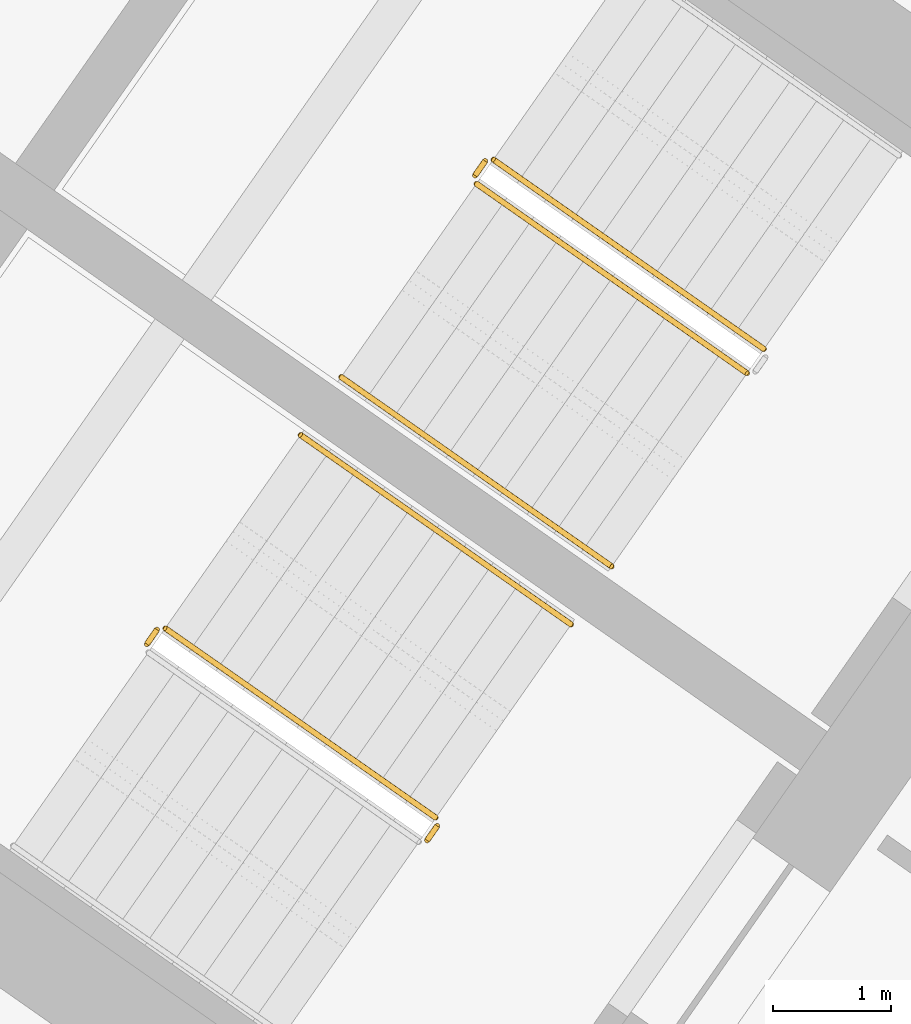
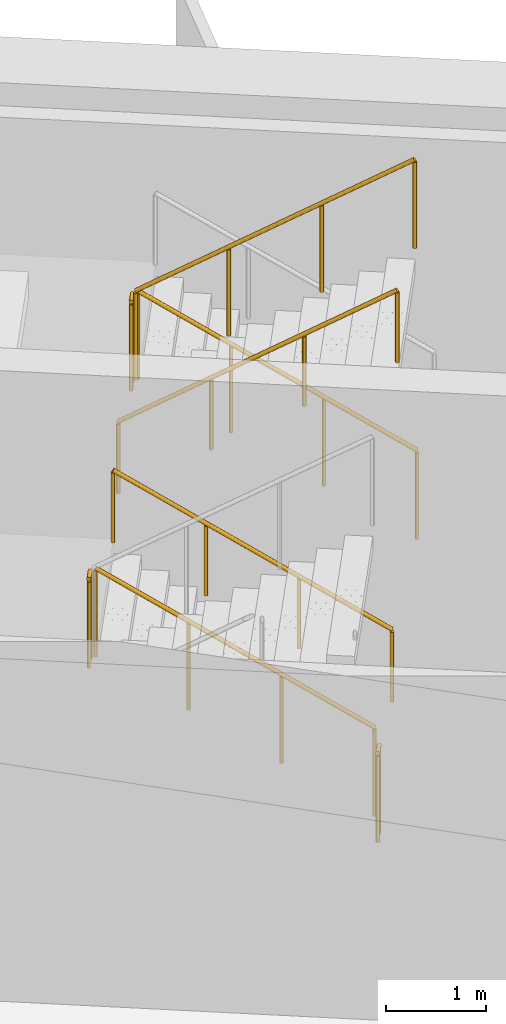
# One storey, part 20 of 22: 8 railings.
"""IFC4 building model written with IfcOpenShell, lengths in metres."""

from ifc_helpers import new_model, si_unit, direction, frame, origin, origin_2d, place, context, subcontext, project, spatial, circle, extrude, material, type_object, element, save


model = new_model("IFC4")

# Units and contexts
model_context = context("Model", 3, precision=1e-05, world=origin(), true_north=direction((0.0, 1.0)))
body_context = subcontext(model_context, "Body", "Model", "MODEL_VIEW")
ifc_project = project(units=[si_unit("LENGTHUNIT", "METRE"), si_unit("AREAUNIT", "SQUARE_METRE"), si_unit("VOLUMEUNIT", "CUBIC_METRE"), si_unit("PLANEANGLEUNIT", "RADIAN"), si_unit("MASSUNIT", "GRAM", prefix="KILO")], contexts=[model_context])

# Site, building, storey
site_placement = place(None, origin())
site = spatial("IfcSite", under=ifc_project, at=site_placement, CompositionType="ELEMENT")
building_placement = place(site_placement, origin())
building = spatial("IfcBuilding", under=site, at=building_placement, Name="Tel Ilan Convention Tower", CompositionType="ELEMENT")
storey_placement = place(building_placement, frame((0.0, 0.0, 135.89990234375)))
storey = spatial("IfcBuildingStorey", under=building, at=storey_placement, Name="L30", CompositionType="ELEMENT", Elevation=135.89990234375)

# Railings
ifc_material_1 = material(Name="Stainless Steel Grade 316", Category="steel")
railing_type_1 = type_object("IfcRailingType", Name="Stainless Steel Stair Guard 1100 mm", PredefinedType="GUARDRAIL", material=ifc_material_1)
railing_1_placement = place(storey_placement, frame((23.6787109375, -7.8515625, 0.177490234375)))
element("IfcRailing", 1, at=railing_1_placement, inside=storey, type_object=railing_type_1, Name="L30 S3 stair guard 1", PredefinedType="GUARDRAIL", context=body_context, shape_type="SweptSolid", body=[
    extrude(circle(Radius=0.02392578125, at=origin_2d()), frame((0.0, 0.0, 1.076171875), z_axis=(-0.692084706163, 0.484621375041, 0.534940073605), x_axis=(-0.573591086599, -0.819141785879, 0.0)), (0.0, 0.0, 1.0), 3.313720703125),
    extrude(circle(Radius=0.02099609375, at=origin_2d()), origin(), (0.0, 0.0, 1.0), 1.052001953125),
    extrude(circle(Radius=0.02099609375, at=origin_2d()), frame((-0.764404296875, 0.535400390625, 0.5908203125)), (0.0, 0.0, 1.0), 1.052001953125),
    extrude(circle(Radius=0.02099609375, at=origin_2d()), frame((-1.529052734375, 1.070556640625, 1.181884765625)), (0.0, 0.0, 1.0), 1.052001953125),
    extrude(circle(Radius=0.02099609375, at=origin_2d()), frame((-2.29345703125, 1.60595703125, 1.772705078125)), (0.0, 0.0, 1.0), 1.052001953125),
])
railing_2_placement = place(storey_placement, frame((21.3154296875, -6.2578125, 1.9501953125)))
element("IfcRailing", 2, at=railing_2_placement, inside=storey, type_object=railing_type_1, Name="L30 S3 stair guard 2", PredefinedType="GUARDRAIL", context=body_context, shape_type="SweptSolid", body=[
    extrude(circle(Radius=0.02392578125, at=origin_2d()), frame((0.0, 0.0, 1.076171875), z_axis=(-0.573353020881, -0.819308436089, 0.0), x_axis=(0.819308436089, -0.573353020881, 0.0)), (0.0, 0.0, 1.0), 0.14990234375),
    extrude(circle(Radius=0.02099609375, at=origin_2d()), origin(), (0.0, 0.0, 1.0), 1.052001953125),
    extrude(circle(Radius=0.02099609375, at=origin_2d()), frame((-0.0859375, -0.122802734375, 0.0)), (0.0, 0.0, 1.0), 1.052001953125),
])
railing_3_placement = place(storey_placement, frame((21.24169921875, -6.4501953125, 2.12744140625)))
element("IfcRailing", 3, at=railing_3_placement, inside=storey, type_object=railing_type_1, Name="L30 S3 stair guard 3", PredefinedType="GUARDRAIL", context=body_context, shape_type="SweptSolid", body=[
    extrude(circle(Radius=0.02392578125, at=origin_2d()), frame((0.0, 0.0, 1.076171875), z_axis=(0.692098378994, -0.484653031975, 0.534893701956), x_axis=(0.573608623498, 0.819129505664, 0.0)), (0.0, 0.0, 1.0), 3.314208984375),
    extrude(circle(Radius=0.02099609375, at=origin_2d()), origin(), (0.0, 0.0, 1.0), 1.052001953125),
    extrude(circle(Radius=0.02099609375, at=origin_2d()), frame((0.7646484375, -0.535400390625, 0.5908203125)), (0.0, 0.0, 1.0), 1.052001953125),
    extrude(circle(Radius=0.02099609375, at=origin_2d()), frame((1.529052734375, -1.07080078125, 1.181884765625)), (0.0, 0.0, 1.0), 1.052001953125),
    extrude(circle(Radius=0.02099609375, at=origin_2d()), frame((2.293701171875, -1.606201171875, 1.772705078125)), (0.0, 0.0, 1.0), 1.052001953125),
])
railing_4_placement = place(storey_placement, frame((20.89697265625, -11.824462890625, 0.177490234375)))
element("IfcRailing", 4, at=railing_4_placement, inside=storey, type_object=railing_type_1, Name="L30 S4 stair guard 1", PredefinedType="GUARDRAIL", context=body_context, shape_type="SweptSolid", body=[
    extrude(circle(Radius=0.02392578125, at=origin_2d()), frame((0.0, 0.0, 1.076171875), z_axis=(-0.692123088272, 0.484596665743, 0.534912798717), x_axis=(-0.573550118428, -0.819170471667, 0.0)), (0.0, 0.0, 1.0), 3.31396484375),
    extrude(circle(Radius=0.02099609375, at=origin_2d()), origin(), (0.0, 0.0, 1.0), 1.052001953125),
    extrude(circle(Radius=0.02099609375, at=origin_2d()), frame((-0.7646484375, 0.535400390625, 0.5908203125)), (0.0, 0.0, 1.0), 1.052001953125),
    extrude(circle(Radius=0.02099609375, at=origin_2d()), frame((-1.529052734375, 1.070556640625, 1.181884765625)), (0.0, 0.0, 1.0), 1.052001953125),
    extrude(circle(Radius=0.02099609375, at=origin_2d()), frame((-2.293701171875, 1.60595703125, 1.772705078125)), (0.0, 0.0, 1.0), 1.052001953125),
])
for number, where, name in (
    (5, (18.53369140625, -10.230712890625, 1.9501953125), "L30 S4 stair guard 2"),
    (6, (20.9091796875, -11.89404296875, 0.0), "L30 S4 stair guard 4"),
):
    element("IfcRailing", number, at=place(storey_placement, frame(where)), inside=storey, type_object=railing_type_1, Name=name, PredefinedType="GUARDRAIL", context=body_context, shape_type="SweptSolid", body=[
        extrude(circle(Radius=0.02392578125, at=origin_2d()), frame((0.0, 0.0, 1.076171875), z_axis=(-0.573353020881, -0.819308436089, 0.0), x_axis=(0.819308436089, -0.573353020881, 0.0)), (0.0, 0.0, 1.0), 0.14990234375),
        extrude(circle(Radius=0.02099609375, at=origin_2d()), origin(), (0.0, 0.0, 1.0), 1.052001953125),
        extrude(circle(Radius=0.02099609375, at=origin_2d()), frame((-0.0859375, -0.122802734375, 0.0)), (0.0, 0.0, 1.0), 1.052001953125),
    ])
ifc_material_2 = material(Name="Stainless Steel Grade 316", Category="steel")
railing_type_2 = type_object("IfcRailingType", Name="Stainless Steel Stair Handrail 900 mm", PredefinedType="HANDRAIL", material=ifc_material_2)
railing_5_placement = place(storey_placement, frame((20.0947265625, -8.088623046875, 2.12744140625)))
element("IfcRailing", 7, at=railing_5_placement, inside=storey, type_object=railing_type_2, Name="L30 S3 stair handrail 2", PredefinedType="HANDRAIL", context=body_context, shape_type="SweptSolid", body=[
    extrude(circle(Radius=0.02392578125, at=origin_2d()), frame((0.0, 0.0, 0.8759765625), z_axis=(0.692084706163, -0.484621375041, 0.534940073605), x_axis=(0.573591086599, 0.819141785879, 0.0)), (0.0, 0.0, 1.0), 3.313720703125),
    extrude(circle(Radius=0.02099609375, at=origin_2d()), origin(), (0.0, 0.0, 1.0), 0.851806640625),
    extrude(circle(Radius=0.02099609375, at=origin_2d()), frame((0.764404296875, -0.535400390625, 0.5908203125)), (0.0, 0.0, 1.0), 0.851806640625),
    extrude(circle(Radius=0.02099609375, at=origin_2d()), frame((1.529052734375, -1.070556640625, 1.181884765625)), (0.0, 0.0, 1.0), 0.851806640625),
    extrude(circle(Radius=0.02099609375, at=origin_2d()), frame((2.29345703125, -1.60595703125, 1.772705078125)), (0.0, 0.0, 1.0), 0.851806640625),
])
railing_6_placement = place(storey_placement, frame((22.044189453125, -10.18603515625, 0.177490234375)))
element("IfcRailing", 8, at=railing_6_placement, inside=storey, type_object=railing_type_2, Name="L30 S4 stair handrail 1", PredefinedType="HANDRAIL", context=body_context, shape_type="SweptSolid", body=[
    extrude(circle(Radius=0.02392578125, at=origin_2d()), frame((0.0, 0.0, 0.8759765625), z_axis=(-0.692123088272, 0.484596665743, 0.534912798717), x_axis=(-0.573550118428, -0.819170471667, 0.0)), (0.0, 0.0, 1.0), 3.31396484375),
    extrude(circle(Radius=0.02099609375, at=origin_2d()), origin(), (0.0, 0.0, 1.0), 0.851806640625),
    extrude(circle(Radius=0.02099609375, at=origin_2d()), frame((-0.7646484375, 0.535400390625, 0.5908203125)), (0.0, 0.0, 1.0), 0.851806640625),
    extrude(circle(Radius=0.02099609375, at=origin_2d()), frame((-1.529052734375, 1.070556640625, 1.181884765625)), (0.0, 0.0, 1.0), 0.851806640625),
    extrude(circle(Radius=0.02099609375, at=origin_2d()), frame((-2.293701171875, 1.60595703125, 1.772705078125)), (0.0, 0.0, 1.0), 0.851806640625),
])

save(model, "model.ifc")
